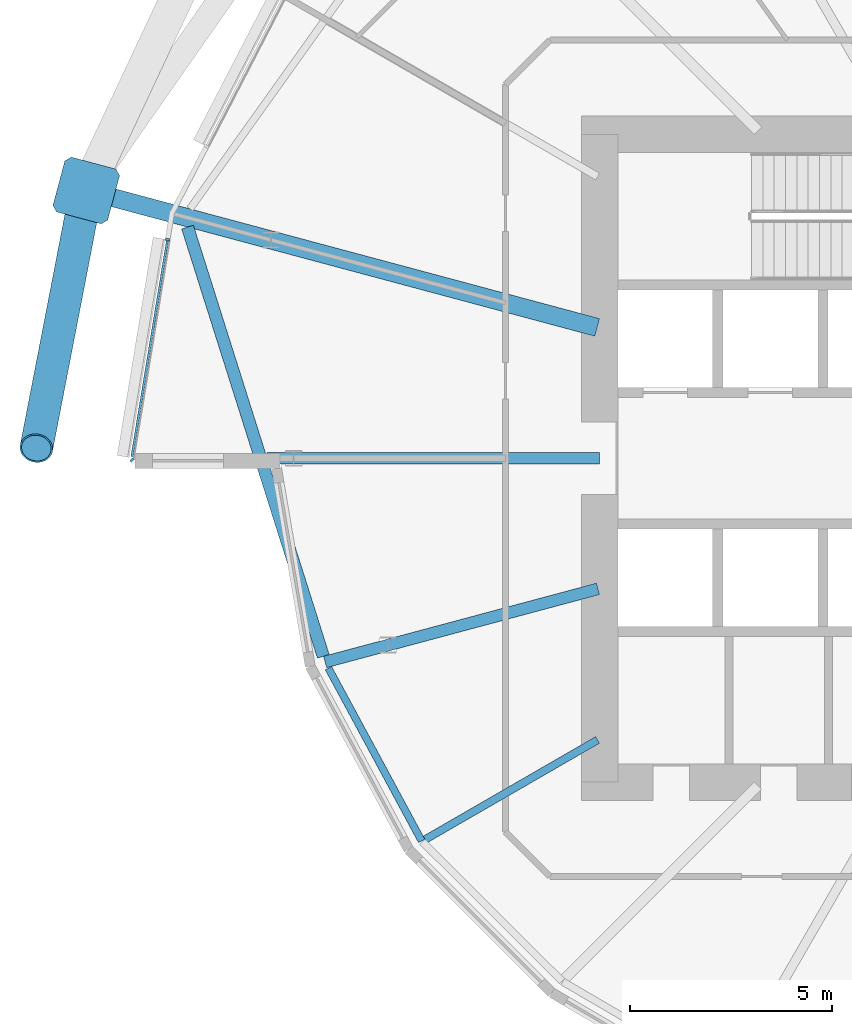
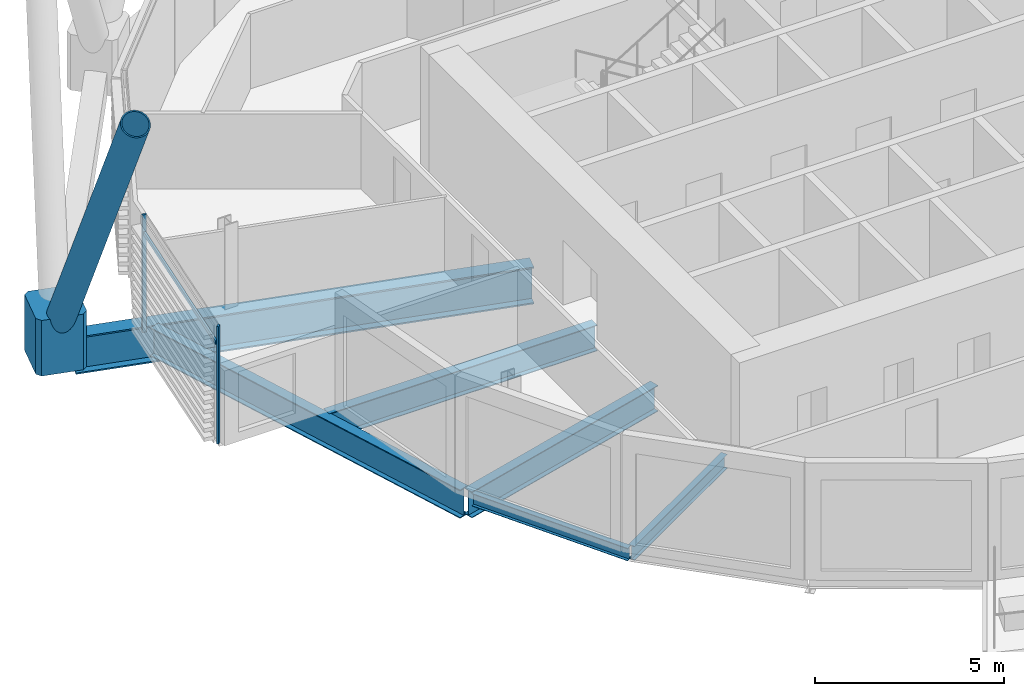
# One storey, part 4 of 36: 6 beams, 5 members, 1 element without a shape of its own.
"""IFC4 building model written with IfcOpenShell, lengths in metres."""

from ifc_helpers import new_model, si_unit, direction, frame, origin, origin_2d, place, context, subcontext, project, spatial, polyline, rectangle, hollow_circle, i_section, outline, extrude, material, material_profile, profile_set, type_object, element, aggregate, save


model = new_model("IFC4")

# Units and contexts
model_context = context("Model", 3, precision=1e-05, world=origin(), true_north=direction((0.0, 1.0)))
body_context = subcontext(model_context, "Body", "Model", "MODEL_VIEW")
ifc_project = project(units=[si_unit("LENGTHUNIT", "METRE"), si_unit("AREAUNIT", "SQUARE_METRE"), si_unit("VOLUMEUNIT", "CUBIC_METRE"), si_unit("PLANEANGLEUNIT", "RADIAN"), si_unit("MASSUNIT", "GRAM", prefix="KILO")], contexts=[model_context])

# Site, building, storey
site_placement = place(None, origin())
site = spatial("IfcSite", under=ifc_project, at=site_placement, CompositionType="ELEMENT")
building_placement = place(site_placement, origin())
building = spatial("IfcBuilding", under=site, at=building_placement, Name="Rimbun Link Towers", CompositionType="ELEMENT")
storey_placement = place(building_placement, frame((0.0, 0.0, 64.199951171875)))
storey = spatial("IfcBuildingStorey", under=building, at=storey_placement, Name="L15", CompositionType="ELEMENT", Elevation=64.199951171875)

# Curtain wall, members
ifc_material_1 = material(Name="Aluminium 6063-T6 and low-iron glass", Category="aluminium")
curtain_wall_type = type_object("IfcCurtainWallType", Name="CW1 unitised vision wall", PredefinedType="NOTDEFINED", material=ifc_material_1)
curtain_wall_placement = place(storey_placement, origin())
curtain_wall = element("IfcCurtainWall", 1, at=curtain_wall_placement, inside=storey, type_object=curtain_wall_type, Name="CW1 L15 T1", PredefinedType="NOTDEFINED")
ifc_material_2 = material(Name="Aluminium 6063-T6", Category="aluminium")
ifc_material_profile_1 = material_profile(ifc_material_2, rectangle(XDim=0.1201171875, YDim=0.06005859375, at=origin_2d()), Name="MULLION 60X120")
ifc_profile_set_1 = profile_set([ifc_material_profile_1], Name="Aluminium 6063-T6")
member_type_1 = type_object("IfcMemberType", Name="CW1 mullion 60X120", PredefinedType="MULLION", material=ifc_profile_set_1)
member_1_placement = place(storey_placement, frame((-55.2900390625, -0.038818359375, 0.0), z_axis=(0.0, 0.0, 1.0), x_axis=(-0.762318713614, -0.647201806915, 0.0)))
member_1 = element("IfcMember", 2, at=member_1_placement, type_object=member_type_1, Name="CW1 mullion", PredefinedType="MULLION", context=body_context, shape_type="SweptSolid", body=[
    extrude(rectangle(XDim=0.1201171875, YDim=0.06005859375, at=origin_2d()), origin(), (0.0, 0.0, 1.0), 3.800048828125),
])
member_2_placement = place(storey_placement, frame((-54.41748046875, 5.39794921875, 0.0), z_axis=(0.0, 0.0, 1.0), x_axis=(-0.986748097792, 0.162259642251, 0.0)))
member_2 = element("IfcMember", 3, at=member_2_placement, type_object=member_type_1, Name="CW1 mullion", PredefinedType="MULLION", context=body_context, shape_type="SweptSolid", body=[
    extrude(rectangle(XDim=0.1201171875, YDim=0.06005859375, at=origin_2d()), origin(), (0.0, 0.0, 1.0), 3.800048828125),
])
ifc_material_3 = material(Name="Aluminium 6063-T6", Category="aluminium")
ifc_material_profile_2 = material_profile(ifc_material_3, rectangle(XDim=0.06005859375, YDim=0.1201171875, at=origin_2d()), Name="TRANSOM 60X120")
ifc_profile_set_2 = profile_set([ifc_material_profile_2], Name="Aluminium 6063-T6")
member_type_2 = type_object("IfcMemberType", Name="CW1 transom 60X120", PredefinedType="USERDEFINED", material=ifc_profile_set_2)
member_3_placement = place(storey_placement, frame((-55.296630859375, 0.0390625, 3.199951171875), z_axis=(0.162250618428, 0.986749581616, 0.0), x_axis=(-0.986749581616, 0.162250618428, 0.0)))
member_3 = element("IfcMember", 4, at=member_3_placement, type_object=member_type_2, Name="CW1 transom", ObjectType="TRANSOM", PredefinedType="USERDEFINED", context=body_context, shape_type="SweptSolid", body=[
    extrude(rectangle(XDim=0.06005859375, YDim=0.1201171875, at=origin_2d()), origin(), (0.0, 0.0, 1.0), 5.400390625),
])
aggregate(curtain_wall, [member_1, member_2, member_3])

# Members
ifc_material_4 = material(Name="Steel S460NH", Category="steel")
ifc_material_profile_3 = material_profile(ifc_material_4, hollow_circle(Radius=0.406494140625, WallThickness=0.0400390625, at=origin_2d()), Name="Diagrid diagonal CHS 813x40")
ifc_profile_set_3 = profile_set([ifc_material_profile_3], Name="Steel S460NH")
member_type_3 = type_object("IfcMemberType", Name="Diagrid diagonal CHS 813x40", PredefinedType="BRACE", material=ifc_profile_set_3)
member_4_placement = place(storey_placement, frame((-56.474365234375, 6.3623046875, 0.4306640625), z_axis=(-0.096674804489, -0.499370142354, 0.860978189679), x_axis=(0.98177159019, -0.190064580327, 0.0)))
element("IfcMember", 5, at=member_4_placement, inside=storey, type_object=member_type_3, Name="Diagrid diagonal T1 L15-L18 11b", PredefinedType="BRACE", context=body_context, shape_type="SweptSolid", body=[
    extrude(hollow_circle(Radius=0.406494140625, WallThickness=0.0400390625, at=origin_2d()), origin(), (0.0, 0.0, 1.0), 12.240478515625),
])
ifc_material_5 = material(Name="Cast steel G20Mn5+QT, Rp0.2 300 MPa", Category="steel")
ifc_material_profile_4 = material_profile(ifc_material_5, outline(polyline([(0.699951171875, -0.570068359375), (0.699951171875, 0.570068359375), (0.570068359375, 0.699951171875), (-0.570068359375, 0.699951171875), (-0.699951171875, 0.570068359375), (-0.699951171875, -0.570068359375), (-0.570068359375, -0.699951171875), (0.570068359375, -0.699951171875), (0.699951171875, -0.570068359375)])), Name="NODE 1400x1400")
ifc_profile_set_4 = profile_set([ifc_material_profile_4], Name="Cast steel G20Mn5+QT, Rp0.2 300 MPa")
member_type_4 = type_object("IfcMemberType", Name="Diagrid node cast 1400", PredefinedType="USERDEFINED", material=ifc_profile_set_4)
member_5_placement = place(storey_placement, frame((-56.426025390625, 6.61181640625, -0.89990234375), z_axis=(0.0, 0.0, 1.0), x_axis=(-0.965925826289, 0.258819045103, 0.0)))
element("IfcMember", 6, at=member_5_placement, inside=storey, type_object=member_type_4, Name="Diagrid node L15 11", ObjectType="Diagrid node", PredefinedType="USERDEFINED", context=body_context, shape_type="SweptSolid", body=[
    extrude(outline(polyline([(0.699951171875, -0.570068359375), (0.699951171875, 0.570068359375), (0.570068359375, 0.699951171875), (-0.570068359375, 0.699951171875), (-0.699951171875, 0.570068359375), (-0.699951171875, -0.570068359375), (-0.570068359375, -0.699951171875), (0.570068359375, -0.699951171875), (0.699951171875, -0.570068359375)])), origin(), (0.0, 0.0, 1.0), 1.800048828125),
])

# Beams
ifc_material_6 = material(Name="Steel S355J2", Category="steel")
ifc_material_profile_5 = material_profile(ifc_material_6, i_section(OverallWidth=0.449951171875, OverallDepth=1.199951171875, WebThickness=0.030029296875, FlangeThickness=0.044921875, at=origin_2d()), Name="PG 1200x450x30/45")
ifc_profile_set_5 = profile_set([ifc_material_profile_5], Name="Steel S355J2")
beam_type_1 = type_object("IfcBeamType", Name="PG 1200x450x30/45", PredefinedType="BEAM", material=ifc_profile_set_5)
beam_1_placement = place(storey_placement, frame((-43.80908203125, 3.231201171875, -0.760009765625), z_axis=(-0.965927491892, 0.258812828907, 0.0), x_axis=(-0.258812828907, -0.965927491892, 0.0)))
element("IfcBeam", 7, at=beam_1_placement, inside=storey, type_object=beam_type_1, Name="Radial beam T1 L15 11", PredefinedType="BEAM", context=body_context, shape_type="SweptSolid", body=[
    extrude(i_section(OverallWidth=0.449951171875, OverallDepth=1.199951171875, WebThickness=0.030029296875, FlangeThickness=0.044921875, at=origin_2d()), origin(), (0.0, 0.0, 1.0), 12.56201171875),
])
ifc_material_7 = material(Name="Steel S355J2", Category="steel")
ifc_material_profile_6 = material_profile(ifc_material_7, i_section(OverallWidth=0.177978515625, OverallDepth=0.406494140625, WebThickness=0.0078125, FlangeThickness=0.0126953125, at=origin_2d()), Name="UB 406x178x60")
ifc_profile_set_6 = profile_set([ifc_material_profile_6], Name="Steel S355J2")
beam_type_2 = type_object("IfcBeamType", Name="UB 406x178x60", PredefinedType="BEAM", material=ifc_profile_set_6)
beam_2_placement = place(storey_placement, frame((-50.445556640625, -5.18310546875, -0.363037109375), z_axis=(0.47488058982, -0.880050240277, 0.0), x_axis=(0.880050240277, 0.47488058982, 0.0)))
element("IfcBeam", 8, at=beam_2_placement, inside=storey, type_object=beam_type_2, Name="Edge beam T1 L15 13 recess", PredefinedType="BEAM", context=body_context, shape_type="SweptSolid", body=[
    extrude(i_section(OverallWidth=0.177978515625, OverallDepth=0.406494140625, WebThickness=0.0078125, FlangeThickness=0.0126953125, at=origin_2d()), origin(), (0.0, 0.0, 1.0), 4.846923828125),
])
ifc_material_8 = material(Name="Steel S355J2", Category="steel")
ifc_material_profile_7 = material_profile(ifc_material_8, i_section(OverallWidth=0.18994140625, OverallDepth=0.453369140625, WebThickness=0.008544921875, FlangeThickness=0.0126953125, at=origin_2d()), Name="UB 457x191x67")
ifc_profile_set_7 = profile_set([ifc_material_profile_7], Name="Steel S355J2")
beam_type_3 = type_object("IfcBeamType", Name="UB 457x191x67", PredefinedType="BEAM", material=ifc_profile_set_7)
beam_3_placement = place(storey_placement, frame((-43.79833984375, -6.9560546875, -0.38671875), z_axis=(-0.866020293397, -0.500008851346, 0.0), x_axis=(0.500008851346, -0.866020293397, 0.0)))
element("IfcBeam", 9, at=beam_3_placement, inside=storey, type_object=beam_type_3, Name="Radial beam T1 L15 14", PredefinedType="BEAM", context=body_context, shape_type="SweptSolid", body=[
    extrude(i_section(OverallWidth=0.18994140625, OverallDepth=0.453369140625, WebThickness=0.008544921875, FlangeThickness=0.0126953125, at=origin_2d()), origin(), (0.0, 0.0, 1.0), 4.91943359375),
])
ifc_material_9 = material(Name="Steel S355J2", Category="steel")
ifc_material_profile_8 = material_profile(ifc_material_9, i_section(OverallWidth=0.29248046875, OverallDepth=0.8408203125, WebThickness=0.0126953125, FlangeThickness=0.021728515625, at=origin_2d()), Name="UB 838x292x194")
ifc_profile_set_8 = profile_set([ifc_material_profile_8], Name="Steel S355J2")
beam_type_4 = type_object("IfcBeamType", Name="UB 838x292x194", PredefinedType="BEAM", material=ifc_profile_set_8)
beam_4_placement = place(storey_placement, frame((-43.7509765625, 0.0, -0.580322265625), z_axis=(-1.0, 0.0, 0.0), x_axis=(0.0, -1.0, 0.0)))
element("IfcBeam", 10, at=beam_4_placement, inside=storey, type_object=beam_type_4, Name="Radial beam T1 L15 12", PredefinedType="BEAM", context=body_context, shape_type="SweptSolid", body=[
    extrude(i_section(OverallWidth=0.29248046875, OverallDepth=0.8408203125, WebThickness=0.0126953125, FlangeThickness=0.021728515625, at=origin_2d()), origin(), (0.0, 0.0, 1.0), 8.20703125),
])
beam_5_placement = place(storey_placement, frame((-43.788818359375, -3.225830078125, -0.580322265625), z_axis=(-0.965922901094, -0.258829961831, 0.0), x_axis=(0.258829961831, -0.965922901094, 0.0)))
element("IfcBeam", 11, at=beam_5_placement, inside=storey, type_object=beam_type_4, Name="Radial beam T1 L15 13", PredefinedType="BEAM", context=body_context, shape_type="SweptSolid", body=[
    extrude(i_section(OverallWidth=0.29248046875, OverallDepth=0.8408203125, WebThickness=0.0126953125, FlangeThickness=0.021728515625, at=origin_2d()), origin(), (0.0, 0.0, 1.0), 6.976318359375),
])
ifc_material_10 = material(Name="Steel S355J2", Category="steel")
ifc_material_profile_9 = material_profile(ifc_material_10, i_section(OverallWidth=0.305419921875, OverallDepth=0.91845703125, WebThickness=0.017333984375, FlangeThickness=0.02783203125, at=origin_2d()), Name="UB 914x305x253")
ifc_profile_set_9 = profile_set([ifc_material_profile_9], Name="Steel S355J2")
beam_type_5 = type_object("IfcBeamType", Name="UB 914x305x253", PredefinedType="BEAM", material=ifc_profile_set_9)
beam_6_placement = place(storey_placement, frame((-53.9248046875, 5.7080078125, -0.619140625), z_axis=(0.301603263739, -0.953433516981, 0.0), x_axis=(0.953433516981, 0.301603263739, 0.0)))
element("IfcBeam", 12, at=beam_6_placement, inside=storey, type_object=beam_type_5, Name="Edge beam T1 L15 11-13", PredefinedType="BEAM", context=body_context, shape_type="SweptSolid", body=[
    extrude(i_section(OverallWidth=0.305419921875, OverallDepth=0.91845703125, WebThickness=0.017333984375, FlangeThickness=0.02783203125, at=origin_2d()), origin(), (0.0, 0.0, 1.0), 11.116455078125),
])

save(model, "model.ifc")
